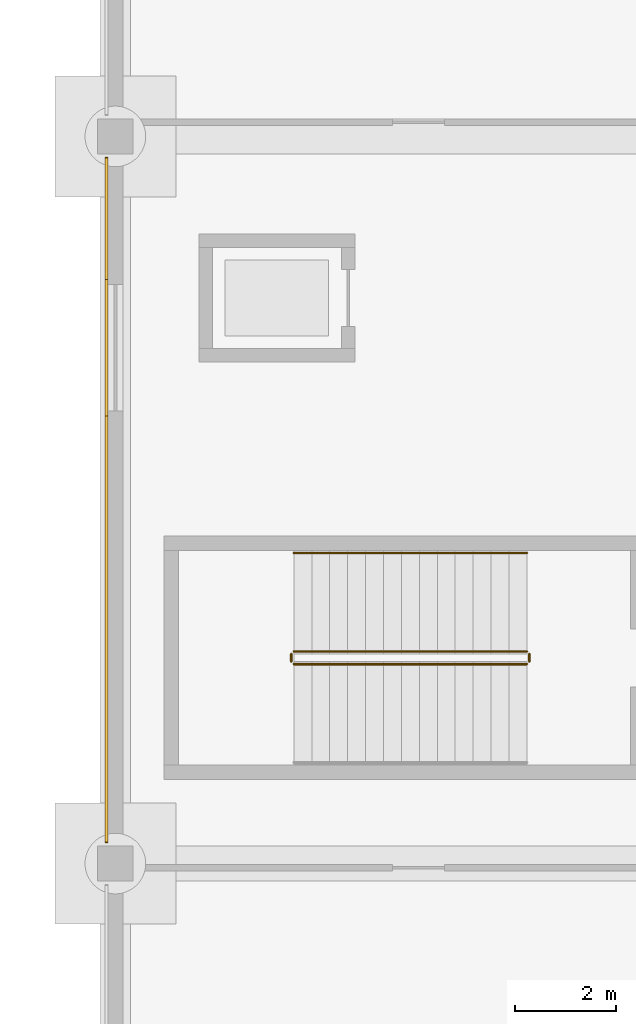
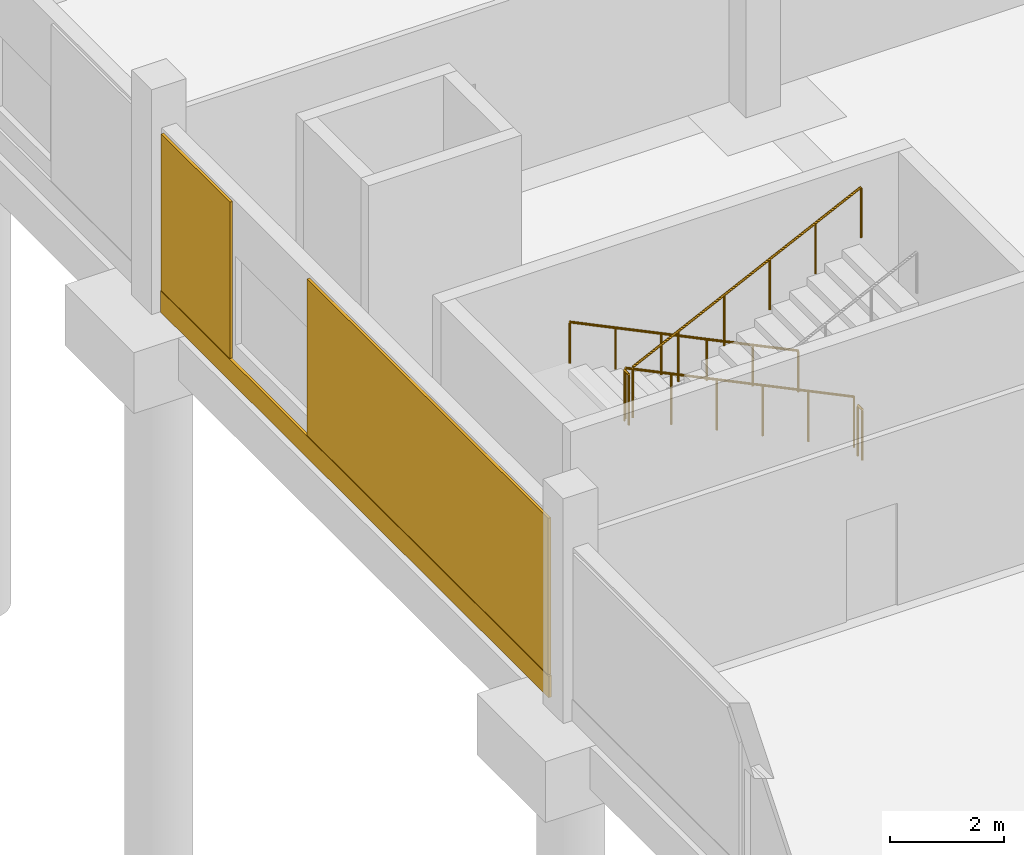
# One storey, part 69 of 82: 5 railings, 3 coverings.
"""IFC4 building model written with IfcOpenShell, lengths in metres."""

from ifc_helpers import new_model, si_unit, direction, frame, origin, origin_2d, place, context, subcontext, project, spatial, rectangle, circle, extrude, material, layer, layer_set, type_object, element, save


model = new_model("IFC4")

# Units and contexts
model_context = context("Model", 3, precision=1e-05, world=origin(), true_north=direction((0.0, 1.0)))
body_context = subcontext(model_context, "Body", "Model", "MODEL_VIEW")
ifc_project = project(units=[si_unit("LENGTHUNIT", "METRE"), si_unit("AREAUNIT", "SQUARE_METRE"), si_unit("VOLUMEUNIT", "CUBIC_METRE"), si_unit("PLANEANGLEUNIT", "RADIAN"), si_unit("MASSUNIT", "GRAM", prefix="KILO")], contexts=[model_context])

# Site, building, storey
site_placement = place(None, origin())
site = spatial("IfcSite", under=ifc_project, at=site_placement, CompositionType="ELEMENT")
building_placement = place(site_placement, origin())
building = spatial("IfcBuilding", under=site, at=building_placement, Name="Kelmvaro Bay Concert Hall", CompositionType="ELEMENT")
storey_placement = place(building_placement, origin())
storey = spatial("IfcBuildingStorey", under=building, at=storey_placement, Name="L00", CompositionType="ELEMENT", Elevation=0.0)

# Coverings
ifc_material_1 = material(Name="Honed Florida Limestone Travertine", Category="masonry")
ifc_layer = layer(ifc_material_1, 0.054931640625)
ifc_layer_set = layer_set([ifc_layer], Name="Honed Florida Limestone Travertine")
covering_type = type_object("IfcCoveringType", Name="Honed Florida Travertine Rainscreen Cladding 55", PredefinedType="CLADDING", material=ifc_layer_set)
covering_1_placement = place(storey_placement, frame((-0.175537109375, 22.800048828125, 0.0400390625), z_axis=(0.0, 0.0, 1.0), x_axis=(0.0, 1.0, 0.0)))
element("IfcCovering", 1, at=covering_1_placement, inside=storey, type_object=covering_type, Name="L00 Travertine Sill Band 0523", PredefinedType="CLADDING", context=body_context, shape_type="SweptSolid", body=[
    extrude(rectangle(XDim=13.580078125, YDim=0.054931640625, at=origin_2d()), origin(), (0.0, 0.0, 1.0), 0.4599609375),
])
covering_2_placement = place(storey_placement, frame((-0.175537109375, 20.2470703125, 0.52001953125), z_axis=(0.0, 0.0, 1.0), x_axis=(0.0, 1.0, 0.0)))
element("IfcCovering", 2, at=covering_2_placement, inside=storey, type_object=covering_type, Name="L00 Travertine Pier Panel 0524", PredefinedType="CLADDING", context=body_context, shape_type="SweptSolid", body=[
    extrude(rectangle(XDim=8.43408203125, YDim=0.054931640625, at=origin_2d()), origin(), (0.0, 0.0, 1.0), 3.339111328125),
])
covering_3_placement = place(storey_placement, frame((-0.175537109375, 28.366943359375, 0.52001953125), z_axis=(0.0, 0.0, 1.0), x_axis=(0.0, 1.0, 0.0)))
element("IfcCovering", 3, at=covering_3_placement, inside=storey, type_object=covering_type, Name="L00 Travertine Pier Panel 0525", PredefinedType="CLADDING", context=body_context, shape_type="SweptSolid", body=[
    extrude(rectangle(XDim=2.406005859375, YDim=0.054931640625, at=origin_2d()), origin(), (0.0, 0.0, 1.0), 3.339111328125),
])

# Railings
ifc_material_2 = material(Name="Brushed Stainless Steel 316", Category="steel")
railing_type_1 = type_object("IfcRailingType", Name="Stair Stainless Wall Handrail 900", PredefinedType="HANDRAIL", material=ifc_material_2)
railing_1_placement = place(storey_placement, frame((8.14990234375, 21.75, 0.17138671875)))
element("IfcRailing", 4, at=railing_1_placement, inside=storey, type_object=railing_type_1, Name="L00 ST-08 stair handrail 1", PredefinedType="HANDRAIL", context=body_context, shape_type="SweptSolid", body=[
    extrude(circle(Radius=0.02392578125, at=origin_2d()), frame((0.0, 0.0, 0.8759765625), z_axis=(-0.900506611743, 0.0, 0.434842318785), x_axis=(0.0, -1.0, 0.0)), (0.0, 0.0, 1.0), 5.125),
    extrude(circle(Radius=0.02099609375, at=origin_2d()), origin(), (0.0, 0.0, 1.0), 0.851806640625),
    extrude(circle(Radius=0.02099609375, at=origin_2d()), frame((-0.923095703125, 0.0, 0.44580078125)), (0.0, 0.0, 1.0), 0.851806640625),
    extrude(circle(Radius=0.02099609375, at=origin_2d()), frame((-1.845947265625, 0.0, 0.891357421875)), (0.0, 0.0, 1.0), 0.851806640625),
    extrude(circle(Radius=0.02099609375, at=origin_2d()), frame((-2.76904296875, 0.0, 1.337158203125)), (0.0, 0.0, 1.0), 0.851806640625),
    extrude(circle(Radius=0.02099609375, at=origin_2d()), frame((-3.69189453125, 0.0, 1.78271484375)), (0.0, 0.0, 1.0), 0.851806640625),
    extrude(circle(Radius=0.02099609375, at=origin_2d()), frame((-4.614990234375, 0.0, 2.228515625)), (0.0, 0.0, 1.0), 0.851806640625),
])
ifc_material_3 = material(Name="Powder-Coated Steel ASTM A500", Category="steel")
railing_type_2 = type_object("IfcRailingType", Name="Stair Well Painted Steel Guard 1100", PredefinedType="BALUSTRADE", material=ifc_material_3)
railing_2_placement = place(storey_placement, frame((8.14990234375, 19.800048828125, 0.17138671875)))
element("IfcRailing", 5, at=railing_2_placement, inside=storey, type_object=railing_type_2, Name="L00 ST-08 stair guard 1", PredefinedType="BALUSTRADE", context=body_context, shape_type="SweptSolid", body=[
    extrude(circle(Radius=0.02392578125, at=origin_2d()), frame((0.0, 0.0, 1.076171875), z_axis=(-0.900506611743, 0.0, 0.434842318785), x_axis=(0.0, -1.0, 0.0)), (0.0, 0.0, 1.0), 5.125),
    extrude(circle(Radius=0.02099609375, at=origin_2d()), origin(), (0.0, 0.0, 1.0), 1.052001953125),
    extrude(circle(Radius=0.02099609375, at=origin_2d()), frame((-0.923095703125, 0.0, 0.44580078125)), (0.0, 0.0, 1.0), 1.052001953125),
    extrude(circle(Radius=0.02099609375, at=origin_2d()), frame((-1.845947265625, 0.0, 0.891357421875)), (0.0, 0.0, 1.0), 1.052001953125),
    extrude(circle(Radius=0.02099609375, at=origin_2d()), frame((-2.76904296875, 0.0, 1.337158203125)), (0.0, 0.0, 1.0), 1.052001953125),
    extrude(circle(Radius=0.02099609375, at=origin_2d()), frame((-3.69189453125, 0.0, 1.78271484375)), (0.0, 0.0, 1.0), 1.052001953125),
    extrude(circle(Radius=0.02099609375, at=origin_2d()), frame((-4.614990234375, 0.0, 2.228515625)), (0.0, 0.0, 1.0), 1.052001953125),
])
railing_3_placement = place(storey_placement, frame((3.485107421875, 19.75, 2.39990234375)))
element("IfcRailing", 6, at=railing_3_placement, inside=storey, type_object=railing_type_2, Name="L00 ST-08 stair guard 2", PredefinedType="BALUSTRADE", context=body_context, shape_type="SweptSolid", body=[
    extrude(circle(Radius=0.02392578125, at=origin_2d()), frame((0.0, 0.0, 1.076171875), z_axis=(0.0, -1.0, 0.0), x_axis=(1.0, 0.0, 0.0)), (0.0, 0.0, 1.0), 0.14990234375),
    extrude(circle(Radius=0.02099609375, at=origin_2d()), origin(), (0.0, 0.0, 1.0), 1.052001953125),
    extrude(circle(Radius=0.02099609375, at=origin_2d()), frame((0.0, -0.14990234375, 0.0)), (0.0, 0.0, 1.0), 1.052001953125),
])
railing_4_placement = place(storey_placement, frame((3.534912109375, 19.550048828125, 2.571533203125)))
element("IfcRailing", 7, at=railing_4_placement, inside=storey, type_object=railing_type_2, Name="L00 ST-08 stair guard 3", PredefinedType="BALUSTRADE", context=body_context, shape_type="SweptSolid", body=[
    extrude(circle(Radius=0.02392578125, at=origin_2d()), frame((0.0, 0.0, 1.076171875), z_axis=(0.900506611743, 0.0, 0.434842318785), x_axis=(0.0, 1.0, 0.0)), (0.0, 0.0, 1.0), 5.125),
    extrude(circle(Radius=0.02099609375, at=origin_2d()), origin(), (0.0, 0.0, 1.0), 1.052001953125),
    extrude(circle(Radius=0.02099609375, at=origin_2d()), frame((0.923095703125, 0.0, 0.44580078125)), (0.0, 0.0, 1.0), 1.052001953125),
    extrude(circle(Radius=0.02099609375, at=origin_2d()), frame((1.845947265625, 0.0, 0.891357421875)), (0.0, 0.0, 1.0), 1.052001953125),
    extrude(circle(Radius=0.02099609375, at=origin_2d()), frame((2.76904296875, 0.0, 1.337158203125)), (0.0, 0.0, 1.0), 1.052001953125),
    extrude(circle(Radius=0.02099609375, at=origin_2d()), frame((3.69189453125, 0.0, 1.78271484375)), (0.0, 0.0, 1.0), 1.052001953125),
    extrude(circle(Radius=0.02099609375, at=origin_2d()), frame((4.614990234375, 0.0, 2.228515625)), (0.0, 0.0, 1.0), 1.052001953125),
])
railing_5_placement = place(storey_placement, frame((8.199951171875, 19.75, 0.0)))
element("IfcRailing", 8, at=railing_5_placement, inside=storey, type_object=railing_type_2, Name="L00 ST-08 stair guard 4", PredefinedType="BALUSTRADE", context=body_context, shape_type="SweptSolid", body=[
    extrude(circle(Radius=0.02392578125, at=origin_2d()), frame((0.0, 0.0, 1.076171875), z_axis=(0.0, -1.0, 0.0), x_axis=(1.0, 0.0, 0.0)), (0.0, 0.0, 1.0), 0.14990234375),
    extrude(circle(Radius=0.02099609375, at=origin_2d()), origin(), (0.0, 0.0, 1.0), 1.052001953125),
    extrude(circle(Radius=0.02099609375, at=origin_2d()), frame((0.0, -0.14990234375, 0.0)), (0.0, 0.0, 1.0), 1.052001953125),
])

save(model, "model.ifc")
